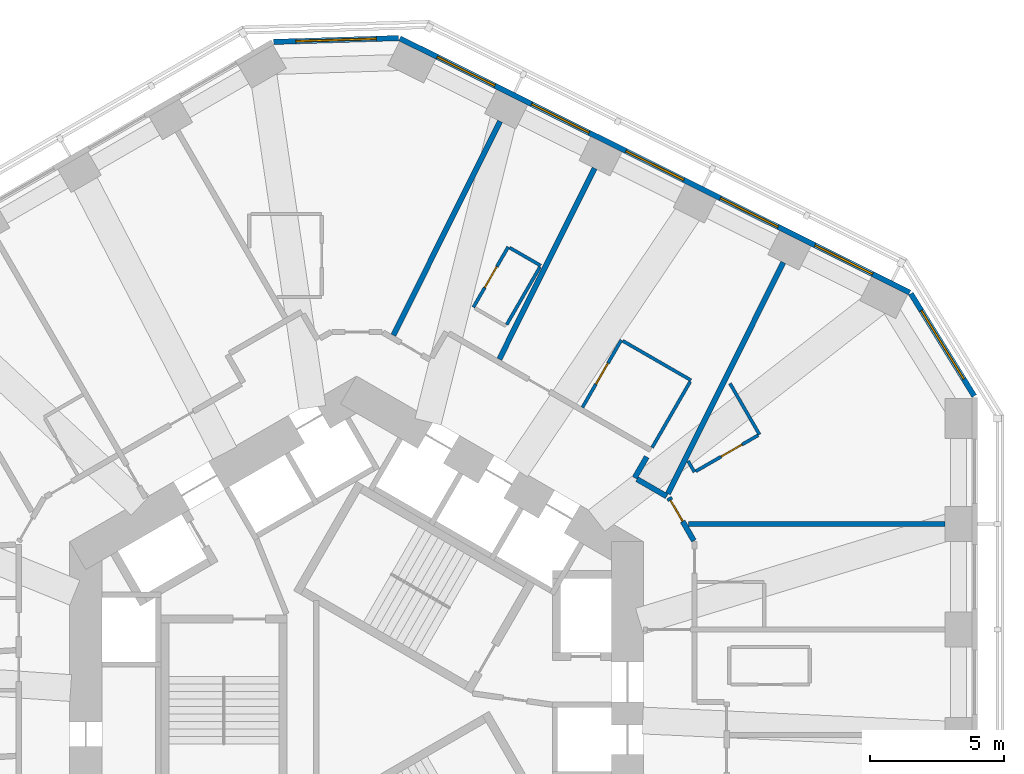
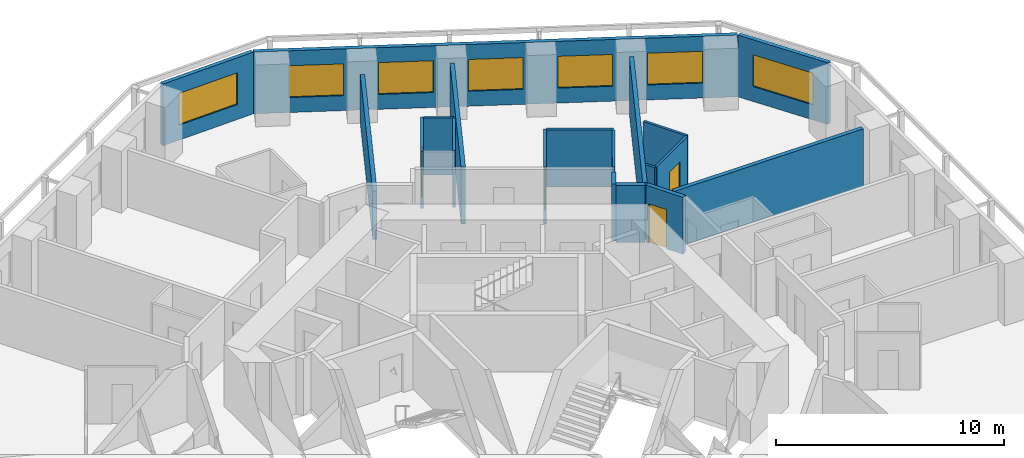
# One storey, part 9 of 12: 19 walls, 7 windows, 4 doors, 11 openings.
"""IFC4 building model written with IfcOpenShell, lengths in metres."""

from ifc_helpers import new_model, si_unit, direction, frame, frame_2d, origin, place, context, subcontext, project, spatial, rectangle, extrude, material, layer, layer_set, type_object, element, fill, save


model = new_model("IFC4")

# Units and contexts
model_context = context("Model", 3, precision=1e-05, world=origin(), true_north=direction((0.0, 1.0)))
body_context = subcontext(model_context, "Body", "Model", "MODEL_VIEW")
ifc_project = project(units=[si_unit("LENGTHUNIT", "METRE"), si_unit("AREAUNIT", "SQUARE_METRE"), si_unit("VOLUMEUNIT", "CUBIC_METRE"), si_unit("PLANEANGLEUNIT", "RADIAN"), si_unit("MASSUNIT", "GRAM", prefix="KILO")], contexts=[model_context])

# Site, building, storey
site_placement = place(None, origin())
site = spatial("IfcSite", under=ifc_project, at=site_placement, CompositionType="ELEMENT")
building_placement = place(site_placement, origin())
building = spatial("IfcBuilding", under=site, at=building_placement, Name="Vanh Sen Convention Tower", CompositionType="ELEMENT")
storey_placement = place(building_placement, frame((0.0, 0.0, 57.199951171875)))
storey = spatial("IfcBuildingStorey", under=building, at=storey_placement, Name="L11", CompositionType="ELEMENT", Elevation=57.199951171875)

# Wall, opening, door
ifc_material_1 = material(Name="Moisture-resistant gypsum board on steel studs", Category="steel")
ifc_layer_1 = layer(ifc_material_1, 0.1201171875)
ifc_layer_set_1 = layer_set([ifc_layer_1], Name="Moisture-resistant gypsum board on steel studs")
wall_type_1 = type_object("IfcWallType", Name="Bathroom partition 120", PredefinedType="PARTITIONING", material=ifc_layer_set_1)
wall_1_placement = place(storey_placement, frame((4.356201171875, 14.922119140625, 0.0), z_axis=(0.0, 0.0, 1.0), x_axis=(0.499936506574, 0.866062058628, 0.0)))
wall_1 = element("IfcWall", 1, at=wall_1_placement, inside=storey, type_object=wall_type_1, Name="Bathroom partition 120", PredefinedType="PARTITIONING", context=body_context, shape_type="SweptSolid", body=[
    extrude(rectangle(XDim=2.599853515625, YDim=0.1201171875, at=frame_2d((1.2998046875, 0.0))), origin(), (0.0, 0.0, 1.0), 3.050048828125),
])
opening_1_placement = place(wall_1_placement, frame((0.85009765625, 0.0, 0.0)))
opening_1 = element("IfcOpeningElement", 2, at=opening_1_placement, cuts=wall_1, Name="Opening D10112", PredefinedType="OPENING", context=body_context, shape_type="SweptSolid", body=[
    extrude(rectangle(XDim=0.89990234375, YDim=2.10009765625, at=frame_2d((0.449951171875, 1.050048828125))), frame((0.0, 0.070068359375, 0.0), z_axis=(0.0, -1.0, 0.0), x_axis=(1.0, 0.0, 0.0)), (0.0, 0.0, 1.0), 0.14013671875),
])
ifc_material_2 = material(Name="Laminate door in steel frame", Category="steel")
door_type_1 = type_object("IfcDoorType", Name="En-suite door 900", OperationType="SINGLE_SWING_LEFT", PredefinedType="DOOR", material=ifc_material_2)
door_1_placement = place(opening_1_placement, origin())
door_1 = element("IfcDoor", 3, at=door_1_placement, inside=storey, type_object=door_type_1, Name="En-suite door D10112", OperationType="SINGLE_SWING_LEFT", OverallHeight=2.10009765625, OverallWidth=0.89990234375, PredefinedType="DOOR", context=body_context, shape_type="SweptSolid", body=[
    extrude(rectangle(XDim=0.89990234375, YDim=2.10009765625, at=frame_2d((0.449951171875, 1.050048828125))), frame((0.0, 0.02490234375, 0.0), z_axis=(0.0, -1.0, 0.0), x_axis=(1.0, 0.0, 0.0)), (0.0, 0.0, 1.0), 0.050048828125),
])
fill(opening_1, door_1)

# Walls
wall_2_placement = place(storey_placement, frame((5.7080078125, 17.143798828125, 0.0), z_axis=(0.0, 0.0, 1.0), x_axis=(0.866082447003, -0.499901185229, 0.0)))
element("IfcWall", 4, at=wall_2_placement, inside=storey, type_object=wall_type_1, Name="Bathroom partition 120", PredefinedType="PARTITIONING", context=body_context, shape_type="SweptSolid", body=[
    extrude(rectangle(XDim=1.340087890625, YDim=0.1201171875, at=frame_2d((0.669921875, 0.0))), origin(), (0.0, 0.0, 1.0), 3.050048828125),
])
wall_3_placement = place(storey_placement, frame((6.838623046875, 16.421875, 0.0), z_axis=(0.0, 0.0, 1.0), x_axis=(-0.50000366821, -0.866023285932, 0.0)))
element("IfcWall", 5, at=wall_3_placement, inside=storey, type_object=wall_type_1, Name="Bathroom partition 120", PredefinedType="PARTITIONING", context=body_context, shape_type="SweptSolid", body=[
    extrude(rectangle(XDim=2.47998046875, YDim=0.1201171875, at=frame_2d((1.239990234375, 0.0))), origin(), (0.0, 0.0, 1.0), 3.050048828125),
])

# Wall, opening, door
wall_4_placement = place(storey_placement, frame((8.423583984375, 11.18798828125, 0.0), z_axis=(0.0, 0.0, 1.0), x_axis=(0.49995078051, 0.866053818805, 0.0)))
wall_4 = element("IfcWall", 6, at=wall_4_placement, inside=storey, type_object=wall_type_1, Name="Bathroom partition 120", PredefinedType="PARTITIONING", context=body_context, shape_type="SweptSolid", body=[
    extrude(rectangle(XDim=2.900146484375, YDim=0.1201171875, at=frame_2d((1.4501953125, 0.0))), origin(), (0.0, 0.0, 1.0), 3.050048828125),
])
opening_2_placement = place(wall_4_placement, frame((1.0, 0.0, 0.0)))
opening_2 = element("IfcOpeningElement", 7, at=opening_2_placement, cuts=wall_4, Name="Opening D10110", PredefinedType="OPENING", context=body_context, shape_type="SweptSolid", body=[
    extrude(rectangle(XDim=0.89990234375, YDim=2.10009765625, at=frame_2d((0.449951171875, 1.050048828125))), frame((0.0, 0.070068359375, 0.0), z_axis=(0.0, -1.0, 0.0), x_axis=(1.0, 0.0, 0.0)), (0.0, 0.0, 1.0), 0.14013671875),
])
door_2_placement = place(opening_2_placement, origin())
door_2 = element("IfcDoor", 8, at=door_2_placement, inside=storey, type_object=door_type_1, Name="En-suite door D10110", OperationType="SINGLE_SWING_LEFT", OverallHeight=2.10009765625, OverallWidth=0.89990234375, PredefinedType="DOOR", context=body_context, shape_type="SweptSolid", body=[
    extrude(rectangle(XDim=0.89990234375, YDim=2.10009765625, at=frame_2d((0.449951171875, 1.050048828125))), frame((0.0, 0.02490234375, 0.0), z_axis=(0.0, -1.0, 0.0), x_axis=(1.0, 0.0, 0.0)), (0.0, 0.0, 1.0), 0.050048828125),
])
fill(opening_2, door_2)

# Walls
wall_5_placement = place(storey_placement, frame((9.925537109375, 13.669677734375, 0.0), z_axis=(0.0, 0.0, 1.0), x_axis=(0.866032090307, -0.499988418424, 0.0)))
element("IfcWall", 9, at=wall_5_placement, inside=storey, type_object=wall_type_1, Name="Bathroom partition 120", PredefinedType="PARTITIONING", context=body_context, shape_type="SweptSolid", body=[
    extrude(rectangle(XDim=2.93994140625, YDim=0.1201171875, at=frame_2d((1.469970703125, 0.0))), origin(), (0.0, 0.0, 1.0), 3.050048828125),
])
wall_6_placement = place(storey_placement, frame((12.441650390625, 12.147705078125, 0.0), z_axis=(0.0, 0.0, 1.0), x_axis=(-0.49994816717, -0.866055327414, 0.0)))
element("IfcWall", 10, at=wall_6_placement, inside=storey, type_object=wall_type_1, Name="Bathroom partition 120", PredefinedType="PARTITIONING", context=body_context, shape_type="SweptSolid", body=[
    extrude(rectangle(XDim=2.840087890625, YDim=0.1201171875, at=frame_2d((1.419921875, 0.0))), origin(), (0.0, 0.0, 1.0), 3.050048828125),
])
wall_7_placement = place(storey_placement, frame((12.600830078125, 8.776123046875, 0.0), z_axis=(0.0, 0.0, 1.0), x_axis=(-0.500166486798, 0.865929261247, 0.0)))
element("IfcWall", 11, at=wall_7_placement, inside=storey, type_object=wall_type_1, Name="Bathroom partition 120", PredefinedType="PARTITIONING", context=body_context, shape_type="SweptSolid", body=[
    extrude(rectangle(XDim=0.475830078125, YDim=0.1201171875, at=frame_2d((0.23779296875, 0.0))), origin(), (0.0, 0.0, 1.0), 3.050048828125),
])
wall_8_placement = place(storey_placement, frame((13.92578125, 12.081298828125, 0.0), z_axis=(0.0, 0.0, 1.0), x_axis=(0.499994660107, -0.866028486751, 0.0)))
element("IfcWall", 12, at=wall_8_placement, inside=storey, type_object=wall_type_1, Name="Bathroom partition 120", PredefinedType="PARTITIONING", context=body_context, shape_type="SweptSolid", body=[
    extrude(rectangle(XDim=2.19970703125, YDim=0.1201171875, at=frame_2d((1.099853515625, 0.0))), origin(), (0.0, 0.0, 1.0), 3.050048828125),
])

# Wall, opening, door
wall_9_placement = place(storey_placement, frame((14.9736328125, 10.146240234375, 0.0), z_axis=(0.0, 0.0, 1.0), x_axis=(-0.86599746015, -0.500048396672, 0.0)))
wall_9 = element("IfcWall", 13, at=wall_9_placement, inside=storey, type_object=wall_type_1, Name="Bathroom partition 120", PredefinedType="PARTITIONING", context=body_context, shape_type="SweptSolid", body=[
    extrude(rectangle(XDim=2.679931640625, YDim=0.1201171875, at=frame_2d((1.33984375, 0.0))), origin(), (0.0, 0.0, 1.0), 3.050048828125),
])
opening_3_placement = place(wall_9_placement, frame((0.68994140625, 0.0, 0.0)))
opening_3 = element("IfcOpeningElement", 14, at=opening_3_placement, cuts=wall_9, Name="Opening D10108", PredefinedType="OPENING", context=body_context, shape_type="SweptSolid", body=[
    extrude(rectangle(XDim=0.89990234375, YDim=2.10009765625, at=frame_2d((0.449951171875, 1.050048828125))), frame((0.0, 0.070068359375, 0.0), z_axis=(0.0, -1.0, 0.0), x_axis=(1.0, 0.0, 0.0)), (0.0, 0.0, 1.0), 0.14013671875),
])
door_3_placement = place(opening_3_placement, origin())
door_3 = element("IfcDoor", 15, at=door_3_placement, inside=storey, type_object=door_type_1, Name="En-suite door D10108", OperationType="SINGLE_SWING_LEFT", OverallHeight=2.10009765625, OverallWidth=0.89990234375, PredefinedType="DOOR", context=body_context, shape_type="SweptSolid", body=[
    extrude(rectangle(XDim=0.89990234375, YDim=2.10009765625, at=frame_2d((0.449951171875, 1.050048828125))), frame((0.0, 0.02490234375, 0.0), z_axis=(0.0, -1.0, 0.0), x_axis=(1.0, 0.0, 0.0)), (0.0, 0.0, 1.0), 0.050048828125),
])
fill(opening_3, door_3)

# Walls
ifc_material_3 = material(Name="Gypsum board on steel studs with mineral wool", Category="steel")
ifc_layer_2 = layer(ifc_material_3, 0.199951171875)
ifc_layer_set_2 = layer_set([ifc_layer_2], Name="Gypsum board on steel studs with mineral wool")
wall_type_2 = type_object("IfcWallType", Name="Corridor partition wall 200", PredefinedType="PARTITIONING", material=ifc_layer_set_2)
wall_10_placement = place(storey_placement, frame((10.37109375, 8.561279296875, 0.0), z_axis=(0.0, 0.0, 1.0), x_axis=(0.50004290449, 0.866000631449, 0.0)))
element("IfcWall", 16, at=wall_10_placement, inside=storey, type_object=wall_type_2, Name="Corridor partition wall 200", PredefinedType="PARTITIONING", context=body_context, shape_type="SweptSolid", body=[
    extrude(rectangle(XDim=0.9013671875, YDim=0.199951171875, at=frame_2d((0.45068359375, 0.0))), origin(), (0.0, 0.0, 1.0), 3.050048828125),
])
wall_11_placement = place(storey_placement, frame((11.56640625, 7.871337890625, 0.0), z_axis=(0.0, 0.0, 1.0), x_axis=(-0.866004557827, 0.500036104519, 0.0)))
element("IfcWall", 17, at=wall_11_placement, inside=storey, type_object=wall_type_2, Name="Corridor partition wall 200", PredefinedType="PARTITIONING", context=body_context, shape_type="SweptSolid", body=[
    extrude(rectangle(XDim=1.2802734375, YDim=0.199951171875, at=frame_2d((0.64013671875, 0.0))), origin(), (0.0, 0.0, 1.0), 3.050048828125),
])

# Wall, opening, door
wall_12_placement = place(storey_placement, frame((12.580078125, 6.212158203125, 0.0), z_axis=(0.0, 0.0, 1.0), x_axis=(-0.500063286585, 0.865988862174, 0.0)))
wall_12 = element("IfcWall", 18, at=wall_12_placement, inside=storey, type_object=wall_type_2, Name="Corridor partition wall 200", PredefinedType="PARTITIONING", context=body_context, shape_type="SweptSolid", body=[
    extrude(rectangle(XDim=1.860107421875, YDim=0.199951171875, at=frame_2d((0.93017578125, 0.0))), origin(), (0.0, 0.0, 1.0), 3.050048828125),
])
opening_4_placement = place(wall_12_placement, frame((0.841796875, 0.0, 0.0)))
opening_4 = element("IfcOpeningElement", 19, at=opening_4_placement, cuts=wall_12, Name="Opening D10107", PredefinedType="OPENING", context=body_context, shape_type="SweptSolid", body=[
    extrude(rectangle(XDim=0.89990234375, YDim=2.10009765625, at=frame_2d((0.449951171875, 1.050048828125))), frame((0.0, 0.10986328125, 0.0), z_axis=(0.0, -1.0, 0.0), x_axis=(1.0, 0.0, 0.0)), (0.0, 0.0, 1.0), 0.219970703125),
])
ifc_material_4 = material(Name="Timber fire door in steel frame", Category="steel")
door_type_2 = type_object("IfcDoorType", Name="Guest room door 900", OperationType="SINGLE_SWING_LEFT", PredefinedType="DOOR", material=ifc_material_4)
door_4_placement = place(opening_4_placement, origin())
door_4 = element("IfcDoor", 20, at=door_4_placement, inside=storey, type_object=door_type_2, Name="Hotel guest room door D10107", OperationType="SINGLE_SWING_LEFT", OverallHeight=2.10009765625, OverallWidth=0.89990234375, PredefinedType="DOOR", context=body_context, shape_type="SweptSolid", body=[
    extrude(rectangle(XDim=0.89990234375, YDim=2.10009765625, at=frame_2d((0.449951171875, 1.050048828125))), frame((0.0, 0.02490234375, 0.0), z_axis=(0.0, -1.0, 0.0), x_axis=(1.0, 0.0, 0.0)), (0.0, 0.0, 1.0), 0.050048828125),
])
fill(opening_4, door_4)

# Wall, opening, window
ifc_material_5 = material(Name="Insulated lightweight infill wall")
ifc_layer_3 = layer(ifc_material_5, 0.199951171875)
ifc_layer_set_3 = layer_set([ifc_layer_3], Name="Insulated lightweight infill wall")
wall_type_3 = type_object("IfcWallType", Name="External wall 200", PredefinedType="STANDARD", material=ifc_layer_set_3)
wall_13_placement = place(storey_placement, frame((23.034912109375, 11.612060546875, 0.0), z_axis=(0.0, 0.0, 1.0), x_axis=(-0.526160091227, 0.850385535155, 0.0)))
wall_13 = element("IfcWall", 21, at=wall_13_placement, inside=storey, type_object=wall_type_3, Name="External wall CH1 L11", PredefinedType="STANDARD", context=body_context, shape_type="SweptSolid", body=[
    extrude(rectangle(XDim=4.493896484375, YDim=0.199951171875, at=frame_2d((2.2470703125, 0.0))), origin(), (0.0, 0.0, 1.0), 3.300048828125),
])
opening_5_placement = place(wall_13_placement, frame((0.746826171875, 0.0, 0.800048828125)))
opening_5 = element("IfcOpeningElement", 22, at=opening_5_placement, cuts=wall_13, Name="Opening WH2-CH11", PredefinedType="OPENING", context=body_context, shape_type="SweptSolid", body=[
    extrude(rectangle(XDim=3.0, YDim=1.699951171875, at=frame_2d((1.5, 0.85009765625))), frame((0.0, 0.10986328125, 0.0), z_axis=(0.0, -1.0, 0.0), x_axis=(1.0, 0.0, 0.0)), (0.0, 0.0, 1.0), 0.219970703125),
])
ifc_material_6 = material(Name="Aluminium frame with clear low-emissivity glass", Category="aluminium")
window_type_1 = type_object("IfcWindowType", Name="Hotel window 3000 x 1700", PartitioningType="SINGLE_PANEL", PredefinedType="WINDOW", material=ifc_material_6)
window_1_placement = place(opening_5_placement, origin())
window_1 = element("IfcWindow", 23, at=window_1_placement, inside=storey, type_object=window_type_1, Name="Window WH2-CH11", OverallHeight=1.699951171875, OverallWidth=3.0, PartitioningType="SINGLE_PANEL", PredefinedType="WINDOW", context=body_context, shape_type="SweptSolid", body=[
    extrude(rectangle(XDim=3.0, YDim=1.699951171875, at=frame_2d((1.5, 0.85009765625))), frame((0.0, 0.030029296875, 0.0), z_axis=(0.0, -1.0, 0.0), x_axis=(1.0, 0.0, 0.0)), (0.0, 0.0, 1.0), 0.06005859375),
])
fill(opening_5, window_1)

# Wall, openings, windows
wall_14_placement = place(storey_placement, frame((20.6298828125, 15.470458984375, 0.0), z_axis=(0.0, 0.0, 1.0), x_axis=(-0.894934518609, 0.446197498203, 0.0)))
wall_14 = element("IfcWall", 24, at=wall_14_placement, inside=storey, type_object=wall_type_3, Name="External wall NE L11", PredefinedType="STANDARD", context=body_context, shape_type="SweptSolid", body=[
    extrude(rectangle(XDim=21.24609375, YDim=0.199951171875, at=frame_2d((10.623046875, 0.0))), origin(), (0.0, 0.0, 1.0), 3.300048828125),
])
opening_6_placement = place(wall_14_placement, frame((1.552978515625, 0.0, 0.800048828125)))
opening_6 = element("IfcOpeningElement", 25, at=opening_6_placement, cuts=wall_14, Name="Opening WH1-NE1", PredefinedType="OPENING", context=body_context, shape_type="SweptSolid", body=[
    extrude(rectangle(XDim=2.39990234375, YDim=1.699951171875, at=frame_2d((1.199951171875, 0.85009765625))), frame((0.0, 0.10986328125, 0.0), z_axis=(0.0, -1.0, 0.0), x_axis=(1.0, 0.0, 0.0)), (0.0, 0.0, 1.0), 0.219970703125),
])
opening_7_placement = place(wall_14_placement, frame((5.48779296875, 0.0, 0.800048828125)))
opening_7 = element("IfcOpeningElement", 26, at=opening_7_placement, cuts=wall_14, Name="Opening WH1-NE2", PredefinedType="OPENING", context=body_context, shape_type="SweptSolid", body=[
    extrude(rectangle(XDim=2.39990234375, YDim=1.699951171875, at=frame_2d((1.199951171875, 0.85009765625))), frame((0.0, 0.10986328125, 0.0), z_axis=(0.0, -1.0, 0.0), x_axis=(1.0, 0.0, 0.0)), (0.0, 0.0, 1.0), 0.219970703125),
])
opening_8_placement = place(wall_14_placement, frame((9.42236328125, 0.0, 0.800048828125)))
opening_8 = element("IfcOpeningElement", 27, at=opening_8_placement, cuts=wall_14, Name="Opening WH1-NE3", PredefinedType="OPENING", context=body_context, shape_type="SweptSolid", body=[
    extrude(rectangle(XDim=2.39990234375, YDim=1.699951171875, at=frame_2d((1.199951171875, 0.85009765625))), frame((0.0, 0.10986328125, 0.0), z_axis=(0.0, -1.0, 0.0), x_axis=(1.0, 0.0, 0.0)), (0.0, 0.0, 1.0), 0.219970703125),
])
opening_9_placement = place(wall_14_placement, frame((13.35693359375, 0.0, 0.800048828125)))
opening_9 = element("IfcOpeningElement", 28, at=opening_9_placement, cuts=wall_14, Name="Opening WH1-NE4", PredefinedType="OPENING", context=body_context, shape_type="SweptSolid", body=[
    extrude(rectangle(XDim=2.39990234375, YDim=1.699951171875, at=frame_2d((1.199951171875, 0.85009765625))), frame((0.0, 0.10986328125, 0.0), z_axis=(0.0, -1.0, 0.0), x_axis=(1.0, 0.0, 0.0)), (0.0, 0.0, 1.0), 0.219970703125),
])
opening_10_placement = place(wall_14_placement, frame((17.29150390625, 0.0, 0.800048828125)))
opening_10 = element("IfcOpeningElement", 29, at=opening_10_placement, cuts=wall_14, Name="Opening WH1-NE5", PredefinedType="OPENING", context=body_context, shape_type="SweptSolid", body=[
    extrude(rectangle(XDim=2.39990234375, YDim=1.699951171875, at=frame_2d((1.199951171875, 0.85009765625))), frame((0.0, 0.10986328125, 0.0), z_axis=(0.0, -1.0, 0.0), x_axis=(1.0, 0.0, 0.0)), (0.0, 0.0, 1.0), 0.219970703125),
])
window_type_2 = type_object("IfcWindowType", Name="Hotel window 2400 x 1700", PartitioningType="SINGLE_PANEL", PredefinedType="WINDOW", material=ifc_material_6)
window_2_placement = place(opening_6_placement, origin())
window_2 = element("IfcWindow", 30, at=window_2_placement, inside=storey, type_object=window_type_2, Name="Window WH1-NE1", OverallHeight=1.699951171875, OverallWidth=2.39990234375, PartitioningType="SINGLE_PANEL", PredefinedType="WINDOW", context=body_context, shape_type="SweptSolid", body=[
    extrude(rectangle(XDim=2.39990234375, YDim=1.699951171875, at=frame_2d((1.199951171875, 0.85009765625))), frame((0.0, 0.030029296875, 0.0), z_axis=(0.0, -1.0, 0.0), x_axis=(1.0, 0.0, 0.0)), (0.0, 0.0, 1.0), 0.06005859375),
])
fill(opening_6, window_2)
window_3_placement = place(opening_7_placement, origin())
window_3 = element("IfcWindow", 31, at=window_3_placement, inside=storey, type_object=window_type_2, Name="Window WH1-NE2", OverallHeight=1.699951171875, OverallWidth=2.39990234375, PartitioningType="SINGLE_PANEL", PredefinedType="WINDOW", context=body_context, shape_type="SweptSolid", body=[
    extrude(rectangle(XDim=2.39990234375, YDim=1.699951171875, at=frame_2d((1.199951171875, 0.85009765625))), frame((0.0, 0.030029296875, 0.0), z_axis=(0.0, -1.0, 0.0), x_axis=(1.0, 0.0, 0.0)), (0.0, 0.0, 1.0), 0.06005859375),
])
fill(opening_7, window_3)
window_4_placement = place(opening_8_placement, origin())
window_4 = element("IfcWindow", 32, at=window_4_placement, inside=storey, type_object=window_type_2, Name="Window WH1-NE3", OverallHeight=1.699951171875, OverallWidth=2.39990234375, PartitioningType="SINGLE_PANEL", PredefinedType="WINDOW", context=body_context, shape_type="SweptSolid", body=[
    extrude(rectangle(XDim=2.39990234375, YDim=1.699951171875, at=frame_2d((1.199951171875, 0.85009765625))), frame((0.0, 0.030029296875, 0.0), z_axis=(0.0, -1.0, 0.0), x_axis=(1.0, 0.0, 0.0)), (0.0, 0.0, 1.0), 0.06005859375),
])
fill(opening_8, window_4)
window_5_placement = place(opening_9_placement, origin())
window_5 = element("IfcWindow", 33, at=window_5_placement, inside=storey, type_object=window_type_2, Name="Window WH1-NE4", OverallHeight=1.699951171875, OverallWidth=2.39990234375, PartitioningType="SINGLE_PANEL", PredefinedType="WINDOW", context=body_context, shape_type="SweptSolid", body=[
    extrude(rectangle(XDim=2.39990234375, YDim=1.699951171875, at=frame_2d((1.199951171875, 0.85009765625))), frame((0.0, 0.030029296875, 0.0), z_axis=(0.0, -1.0, 0.0), x_axis=(1.0, 0.0, 0.0)), (0.0, 0.0, 1.0), 0.06005859375),
])
fill(opening_9, window_5)
window_6_placement = place(opening_10_placement, origin())
window_6 = element("IfcWindow", 34, at=window_6_placement, inside=storey, type_object=window_type_2, Name="Window WH1-NE5", OverallHeight=1.699951171875, OverallWidth=2.39990234375, PartitioningType="SINGLE_PANEL", PredefinedType="WINDOW", context=body_context, shape_type="SweptSolid", body=[
    extrude(rectangle(XDim=2.39990234375, YDim=1.699951171875, at=frame_2d((1.199951171875, 0.85009765625))), frame((0.0, 0.030029296875, 0.0), z_axis=(0.0, -1.0, 0.0), x_axis=(1.0, 0.0, 0.0)), (0.0, 0.0, 1.0), 0.06005859375),
])
fill(opening_10, window_6)

# Wall, opening, window
wall_15_placement = place(storey_placement, frame((1.568359375, 24.9609375, 0.0), z_axis=(0.0, 0.0, 1.0), x_axis=(-0.999533359013, -0.030546099927, 0.0)))
wall_15 = element("IfcWall", 35, at=wall_15_placement, inside=storey, type_object=wall_type_3, Name="External wall CH2 L11", PredefinedType="STANDARD", context=body_context, shape_type="SweptSolid", body=[
    extrude(rectangle(XDim=4.65966796875, YDim=0.199951171875, at=frame_2d((2.329833984375, 0.0))), origin(), (0.0, 0.0, 1.0), 3.300048828125),
])
opening_11_placement = place(wall_15_placement, frame((0.829833984375, 0.0, 0.800048828125)))
opening_11 = element("IfcOpeningElement", 36, at=opening_11_placement, cuts=wall_15, Name="Opening WH2-CH21", PredefinedType="OPENING", context=body_context, shape_type="SweptSolid", body=[
    extrude(rectangle(XDim=3.0, YDim=1.699951171875, at=frame_2d((1.5, 0.85009765625))), frame((0.0, 0.10986328125, 0.0), z_axis=(0.0, -1.0, 0.0), x_axis=(1.0, 0.0, 0.0)), (0.0, 0.0, 1.0), 0.219970703125),
])
window_7_placement = place(opening_11_placement, origin())
window_7 = element("IfcWindow", 37, at=window_7_placement, inside=storey, type_object=window_type_1, Name="Window WH2-CH21", OverallHeight=1.699951171875, OverallWidth=3.0, PartitioningType="SINGLE_PANEL", PredefinedType="WINDOW", context=body_context, shape_type="SweptSolid", body=[
    extrude(rectangle(XDim=3.0, YDim=1.699951171875, at=frame_2d((1.5, 0.85009765625))), frame((0.0, 0.030029296875, 0.0), z_axis=(0.0, -1.0, 0.0), x_axis=(1.0, 0.0, 0.0)), (0.0, 0.0, 1.0), 0.06005859375),
])
fill(opening_11, window_7)

# Walls
ifc_layer_4 = layer(ifc_material_3, 0.199951171875)
ifc_layer_set_4 = layer_set([ifc_layer_4], Name="Gypsum board on steel studs with mineral wool")
wall_type_4 = type_object("IfcWallType", Name="Hotel party wall 200", PredefinedType="PARTITIONING", material=ifc_layer_set_4)
wall_16_placement = place(storey_placement, frame((5.35107421875, 21.859130859375, 0.0), z_axis=(0.0, 0.0, 1.0), x_axis=(-0.446205309328, -0.894930624086, 0.0)))
element("IfcWall", 38, at=wall_16_placement, inside=storey, type_object=wall_type_4, Name="Hotel party wall 200", PredefinedType="PARTITIONING", context=body_context, shape_type="SweptSolid", body=[
    extrude(rectangle(XDim=8.9130859375, YDim=0.199951171875, at=frame_2d((4.45654296875, 0.0))), origin(), (0.0, 0.0, 1.0), 2.60009765625),
])
wall_17_placement = place(storey_placement, frame((8.872314453125, 20.103515625, 0.0), z_axis=(0.0, 0.0, 1.0), x_axis=(-0.446218378653, -0.894924107706, 0.0)))
element("IfcWall", 39, at=wall_17_placement, inside=storey, type_object=wall_type_4, Name="Hotel party wall 200", PredefinedType="PARTITIONING", context=body_context, shape_type="SweptSolid", body=[
    extrude(rectangle(XDim=7.950439453125, YDim=0.199951171875, at=frame_2d((3.97509765625, 0.0))), origin(), (0.0, 0.0, 1.0), 3.050048828125),
])
wall_18_placement = place(storey_placement, frame((15.91455078125, 16.59228515625, 0.0), z_axis=(0.0, 0.0, 1.0), x_axis=(-0.446199736347, -0.894933402709, 0.0)))
element("IfcWall", 40, at=wall_18_placement, inside=storey, type_object=wall_type_4, Name="Hotel party wall 200", PredefinedType="PARTITIONING", context=body_context, shape_type="SweptSolid", body=[
    extrude(rectangle(XDim=9.634765625, YDim=0.199951171875, at=frame_2d((4.8173828125, 0.0))), origin(), (0.0, 0.0, 1.0), 3.050048828125),
])
wall_19_placement = place(storey_placement, frame((21.949951171875, 6.839111328125, 0.0), z_axis=(0.0, 0.0, 1.0), x_axis=(-1.0, 0.0, 0.0)))
element("IfcWall", 41, at=wall_19_placement, inside=storey, type_object=wall_type_4, Name="Hotel party wall 200", PredefinedType="PARTITIONING", context=body_context, shape_type="SweptSolid", body=[
    extrude(rectangle(XDim=9.57177734375, YDim=0.199951171875, at=frame_2d((4.785888671875, 0.0))), origin(), (0.0, 0.0, 1.0), 3.050048828125),
])

save(model, "model.ifc")
